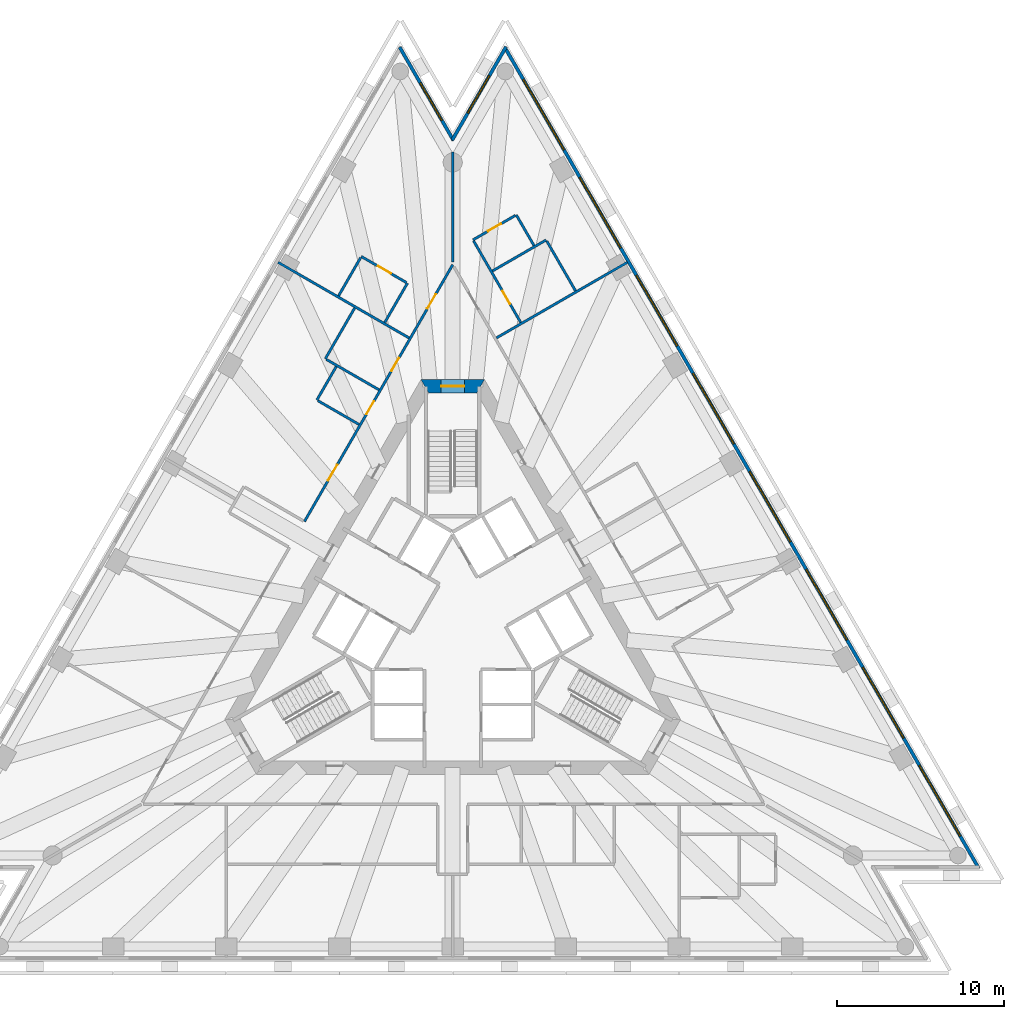
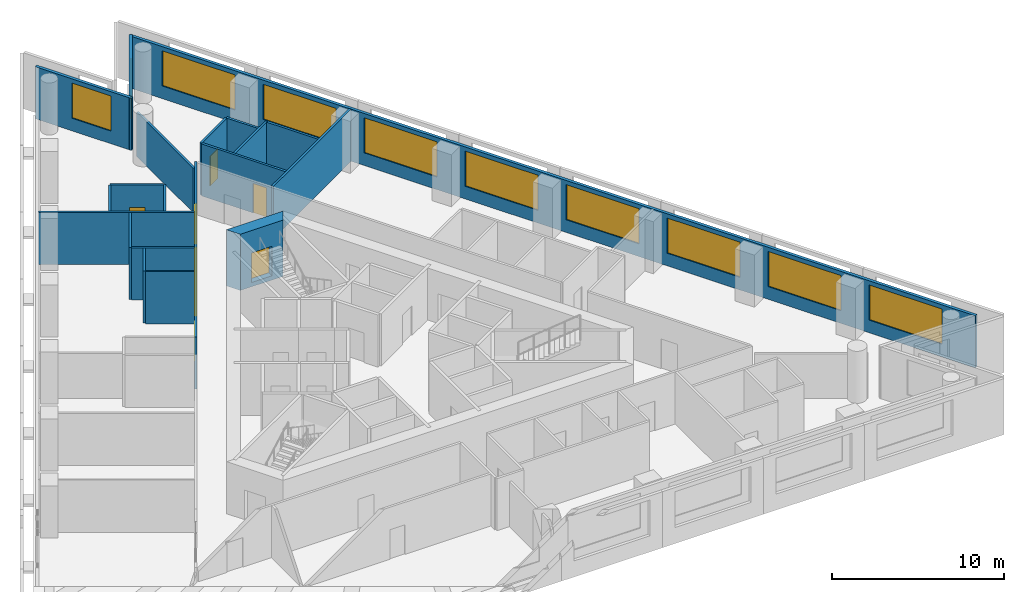
# One storey, part 6 of 9: 20 walls, 10 windows, 8 doors, 18 openings.
"""IFC4 building model written with IfcOpenShell, lengths in metres."""

from ifc_helpers import new_model, si_unit, direction, frame, frame_2d, origin, place, context, subcontext, project, spatial, polyline, rectangle, outline, extrude, material, layer, layer_set, layer_usage, type_object, element, fill, save


model = new_model("IFC4")

# Units and contexts
model_context = context("Model", 3, precision=1e-05, world=origin(), true_north=direction((0.0, 1.0)))
body_context = subcontext(model_context, "Body", "Model", "MODEL_VIEW")
ifc_project = project(units=[si_unit("LENGTHUNIT", "METRE"), si_unit("AREAUNIT", "SQUARE_METRE"), si_unit("VOLUMEUNIT", "CUBIC_METRE"), si_unit("PLANEANGLEUNIT", "RADIAN"), si_unit("MASSUNIT", "GRAM", prefix="KILO")], contexts=[model_context])

# Site, building, storey
site_placement = place(None, origin())
site = spatial("IfcSite", under=ifc_project, at=site_placement, CompositionType="ELEMENT")
building_placement = place(site_placement, origin())
building = spatial("IfcBuilding", under=site, at=building_placement, Name="Triada Interchange Tower", CompositionType="ELEMENT")
storey_placement = place(building_placement, frame((0.0, 0.0, 136.300048828125)))
storey = spatial("IfcBuildingStorey", under=building, at=storey_placement, Name="L31", CompositionType="ELEMENT", Elevation=136.300048828125)

# Wall, opening, door
ifc_material_1 = material(Name="Concrete C60/75", Category="concrete")
ifc_layer_1 = layer(ifc_material_1, 0.800048828125)
ifc_layer_set_1 = layer_set([ifc_layer_1], Name="Core wall B 800")
wall_type_1 = type_object("IfcWallType", Name="Core wall B 800", PredefinedType="SHEAR", material=ifc_layer_set_1)
wall_1_placement = place(storey_placement, frame((1.674072265625, 14.300048828125, -0.300048828125), z_axis=(0.0, 0.0, 1.0), x_axis=(-1.0, 0.0, 0.0)))
wall_1 = element("IfcWall", 1, at=wall_1_placement, inside=storey, type_object=wall_type_1, Name="Core wall WB01 L31", PredefinedType="SHEAR", context=body_context, shape_type="SweptSolid", body=[
    extrude(outline(polyline([(-0.23095703125, -0.39990234375), (1.674072265625, -0.39990234375), (3.5791015625, -0.39990234375), (3.116943359375, 0.39990234375), (1.673828125, 0.39990234375), (0.23095703125, 0.39990234375), (-0.23095703125, -0.39990234375)])), origin(), (0.0, 0.0, 1.0), 4.0),
])
opening_1_placement = place(wall_1_placement, frame((0.97412109375, 0.0, 0.300048828125)))
opening_1 = element("IfcOpeningElement", 2, at=opening_1_placement, cuts=wall_1, Name="Opening D29-38", PredefinedType="OPENING", context=body_context, shape_type="SweptSolid", body=[
    extrude(rectangle(XDim=1.39990234375, YDim=2.10009765625, at=frame_2d((0.699951171875, 1.050048828125))), frame((0.0, 0.409912109375, 0.0), z_axis=(0.0, -1.0, 0.0), x_axis=(1.0, 0.0, 0.0)), (0.0, 0.0, 1.0), 0.820068359375),
])
ifc_material_2 = material(Name="Steel S235 door leaf", Category="steel")
door_type_1 = type_object("IfcDoorType", Name="STAIR DOOR 1400 EI2 90-C5S200", OperationType="DOUBLE_DOOR_SINGLE_SWING", PredefinedType="DOOR", material=ifc_material_2)
door_1_placement = place(opening_1_placement, origin())
door_1 = element("IfcDoor", 3, at=door_1_placement, inside=storey, type_object=door_type_1, Name="Door D29-38 L31", OperationType="DOUBLE_DOOR_SINGLE_SWING", OverallHeight=2.10009765625, OverallWidth=1.39990234375, PredefinedType="DOOR", context=body_context, shape_type="SweptSolid", body=[
    extrude(rectangle(XDim=1.39990234375, YDim=2.10009765625, at=frame_2d((0.699951171875, 1.050048828125))), frame((0.0, 0.02490234375, 0.0), z_axis=(0.0, -1.0, 0.0), x_axis=(1.0, 0.0, 0.0)), (0.0, 0.0, 1.0), 0.050048828125),
])
fill(opening_1, door_1)

# Wall, openings, windows
ifc_material_3 = material(Name="Cement board")
ifc_layer_2 = layer(ifc_material_3, 0.02001953125, Name="Cement board cladding")
ifc_material_4 = material(Name="Sheathing board")
ifc_layer_3 = layer(ifc_material_4, 0.014892578125, Name="Sheathing board")
ifc_material_5 = material(Name="Mineral wool")
ifc_layer_4 = layer(ifc_material_5, 0.14990234375, Name="Mineral wool between steel studs")
ifc_material_6 = material(Name="Gypsum board")
ifc_layer_5 = layer(ifc_material_6, 0.014892578125, Name="Plasterboard lining")
ifc_layer_set_2 = layer_set([ifc_layer_2, ifc_layer_3, ifc_layer_4, ifc_layer_5], Name="External wall 200")
ifc_layer_usage = layer_usage(ifc_layer_set_2, "AXIS2", "POSITIVE", -0.10009765625)
wall_type_2 = type_object("IfcWallType", Name="External wall 200", PredefinedType="ELEMENTEDWALL", material=ifc_layer_set_2)
wall_2_placement = place(storey_placement, frame((31.587890625, -14.64697265625, 0.0), z_axis=(0.0, 0.0, 1.0), x_axis=(-0.500005036527, 0.866022495925, 0.0)))
wall_2 = element("IfcWall", 4, at=wall_2_placement, inside=storey, type_object=wall_type_2, material=ifc_layer_usage, Name="External wall L31 NE", PredefinedType="ELEMENTEDWALL", context=body_context, shape_type="SweptSolid", body=[
    extrude(rectangle(XDim=56.9375, YDim=0.199951171875, at=frame_2d((28.46875, 0.0))), origin(), (0.0, 0.0, 1.0), 3.699951171875),
])
opening_2_placement = place(wall_2_placement, frame((2.25, 0.0, 0.89990234375)))
opening_2 = element("IfcOpeningElement", 5, at=opening_2_placement, cuts=wall_2, Name="Opening WB21", PredefinedType="OPENING", context=body_context, shape_type="SweptSolid", body=[
    extrude(rectangle(XDim=4.89990234375, YDim=2.5, at=frame_2d((2.449951171875, 1.25))), frame((0.0, 0.10986328125, 0.0), z_axis=(0.0, -1.0, 0.0), x_axis=(1.0, 0.0, 0.0)), (0.0, 0.0, 1.0), 0.219970703125),
])
opening_3_placement = place(wall_2_placement, frame((9.0439453125, 0.0, 0.89990234375)))
opening_3 = element("IfcOpeningElement", 6, at=opening_3_placement, cuts=wall_2, Name="Opening WB22", PredefinedType="OPENING", context=body_context, shape_type="SweptSolid", body=[
    extrude(rectangle(XDim=4.89990234375, YDim=2.5, at=frame_2d((2.449951171875, 1.25))), frame((0.0, 0.10986328125, 0.0), z_axis=(0.0, -1.0, 0.0), x_axis=(1.0, 0.0, 0.0)), (0.0, 0.0, 1.0), 0.219970703125),
])
opening_4_placement = place(wall_2_placement, frame((15.837890625, 0.0, 0.89990234375)))
opening_4 = element("IfcOpeningElement", 7, at=opening_4_placement, cuts=wall_2, Name="Opening WB23", PredefinedType="OPENING", context=body_context, shape_type="SweptSolid", body=[
    extrude(rectangle(XDim=4.89990234375, YDim=2.5, at=frame_2d((2.449951171875, 1.25))), frame((0.0, 0.10986328125, 0.0), z_axis=(0.0, -1.0, 0.0), x_axis=(1.0, 0.0, 0.0)), (0.0, 0.0, 1.0), 0.219970703125),
])
opening_5_placement = place(wall_2_placement, frame((22.632080078125, 0.0, 0.89990234375)))
opening_5 = element("IfcOpeningElement", 8, at=opening_5_placement, cuts=wall_2, Name="Opening WB24", PredefinedType="OPENING", context=body_context, shape_type="SweptSolid", body=[
    extrude(rectangle(XDim=4.89990234375, YDim=2.5, at=frame_2d((2.449951171875, 1.25))), frame((0.0, 0.10986328125, 0.0), z_axis=(0.0, -1.0, 0.0), x_axis=(1.0, 0.0, 0.0)), (0.0, 0.0, 1.0), 0.219970703125),
])
opening_6_placement = place(wall_2_placement, frame((29.426025390625, 0.0, 0.89990234375)))
opening_6 = element("IfcOpeningElement", 9, at=opening_6_placement, cuts=wall_2, Name="Opening WB25", PredefinedType="OPENING", context=body_context, shape_type="SweptSolid", body=[
    extrude(rectangle(XDim=4.89990234375, YDim=2.5, at=frame_2d((2.449951171875, 1.25))), frame((0.0, 0.10986328125, 0.0), z_axis=(0.0, -1.0, 0.0), x_axis=(1.0, 0.0, 0.0)), (0.0, 0.0, 1.0), 0.219970703125),
])
opening_7_placement = place(wall_2_placement, frame((36.219970703125, 0.0, 0.89990234375)))
opening_7 = element("IfcOpeningElement", 10, at=opening_7_placement, cuts=wall_2, Name="Opening WB26", PredefinedType="OPENING", context=body_context, shape_type="SweptSolid", body=[
    extrude(rectangle(XDim=4.89990234375, YDim=2.5, at=frame_2d((2.449951171875, 1.25))), frame((0.0, 0.10986328125, 0.0), z_axis=(0.0, -1.0, 0.0), x_axis=(1.0, 0.0, 0.0)), (0.0, 0.0, 1.0), 0.219970703125),
])
opening_8_placement = place(wall_2_placement, frame((43.013916015625, 0.0, 0.89990234375)))
opening_8 = element("IfcOpeningElement", 11, at=opening_8_placement, cuts=wall_2, Name="Opening WB27", PredefinedType="OPENING", context=body_context, shape_type="SweptSolid", body=[
    extrude(rectangle(XDim=4.89990234375, YDim=2.5, at=frame_2d((2.449951171875, 1.25))), frame((0.0, 0.10986328125, 0.0), z_axis=(0.0, -1.0, 0.0), x_axis=(1.0, 0.0, 0.0)), (0.0, 0.0, 1.0), 0.219970703125),
])
opening_9_placement = place(wall_2_placement, frame((49.80810546875, 0.0, 0.89990234375)))
opening_9 = element("IfcOpeningElement", 12, at=opening_9_placement, cuts=wall_2, Name="Opening WB28", PredefinedType="OPENING", context=body_context, shape_type="SweptSolid", body=[
    extrude(rectangle(XDim=4.89990234375, YDim=2.5, at=frame_2d((2.449951171875, 1.25))), frame((0.0, 0.10986328125, 0.0), z_axis=(0.0, -1.0, 0.0), x_axis=(1.0, 0.0, 0.0)), (0.0, 0.0, 1.0), 0.219970703125),
])
ifc_material_7 = material(Name="Double glazed aluminium window", Category="aluminium")
window_type_1 = type_object("IfcWindowType", Name="Ribbon window B face", PartitioningType="SINGLE_PANEL", PredefinedType="WINDOW", material=ifc_material_7)
window_1_placement = place(opening_2_placement, origin())
window_1 = element("IfcWindow", 13, at=window_1_placement, inside=storey, type_object=window_type_1, Name="Window L31 NE 1", OverallHeight=2.5, OverallWidth=4.89990234375, PartitioningType="SINGLE_PANEL", PredefinedType="WINDOW", context=body_context, shape_type="SweptSolid", body=[
    extrude(rectangle(XDim=4.89990234375, YDim=2.5, at=frame_2d((2.449951171875, 1.25))), frame((0.0, 0.030029296875, 0.0), z_axis=(0.0, -1.0, 0.0), x_axis=(1.0, 0.0, 0.0)), (0.0, 0.0, 1.0), 0.06005859375),
])
fill(opening_2, window_1)
window_2_placement = place(opening_3_placement, origin())
window_2 = element("IfcWindow", 14, at=window_2_placement, inside=storey, type_object=window_type_1, Name="Window L31 NE 2", OverallHeight=2.5, OverallWidth=4.89990234375, PartitioningType="SINGLE_PANEL", PredefinedType="WINDOW", context=body_context, shape_type="SweptSolid", body=[
    extrude(rectangle(XDim=4.89990234375, YDim=2.5, at=frame_2d((2.449951171875, 1.25))), frame((0.0, 0.030029296875, 0.0), z_axis=(0.0, -1.0, 0.0), x_axis=(1.0, 0.0, 0.0)), (0.0, 0.0, 1.0), 0.06005859375),
])
fill(opening_3, window_2)
window_3_placement = place(opening_4_placement, origin())
window_3 = element("IfcWindow", 15, at=window_3_placement, inside=storey, type_object=window_type_1, Name="Window L31 NE 3", OverallHeight=2.5, OverallWidth=4.89990234375, PartitioningType="SINGLE_PANEL", PredefinedType="WINDOW", context=body_context, shape_type="SweptSolid", body=[
    extrude(rectangle(XDim=4.89990234375, YDim=2.5, at=frame_2d((2.449951171875, 1.25))), frame((0.0, 0.030029296875, 0.0), z_axis=(0.0, -1.0, 0.0), x_axis=(1.0, 0.0, 0.0)), (0.0, 0.0, 1.0), 0.06005859375),
])
fill(opening_4, window_3)
window_4_placement = place(opening_5_placement, origin())
window_4 = element("IfcWindow", 16, at=window_4_placement, inside=storey, type_object=window_type_1, Name="Window L31 NE 4", OverallHeight=2.5, OverallWidth=4.89990234375, PartitioningType="SINGLE_PANEL", PredefinedType="WINDOW", context=body_context, shape_type="SweptSolid", body=[
    extrude(rectangle(XDim=4.89990234375, YDim=2.5, at=frame_2d((2.449951171875, 1.25))), frame((0.0, 0.030029296875, 0.0), z_axis=(0.0, -1.0, 0.0), x_axis=(1.0, 0.0, 0.0)), (0.0, 0.0, 1.0), 0.06005859375),
])
fill(opening_5, window_4)
window_5_placement = place(opening_6_placement, origin())
window_5 = element("IfcWindow", 17, at=window_5_placement, inside=storey, type_object=window_type_1, Name="Window L31 NE 5", OverallHeight=2.5, OverallWidth=4.89990234375, PartitioningType="SINGLE_PANEL", PredefinedType="WINDOW", context=body_context, shape_type="SweptSolid", body=[
    extrude(rectangle(XDim=4.89990234375, YDim=2.5, at=frame_2d((2.449951171875, 1.25))), frame((0.0, 0.030029296875, 0.0), z_axis=(0.0, -1.0, 0.0), x_axis=(1.0, 0.0, 0.0)), (0.0, 0.0, 1.0), 0.06005859375),
])
fill(opening_6, window_5)
window_6_placement = place(opening_7_placement, origin())
window_6 = element("IfcWindow", 18, at=window_6_placement, inside=storey, type_object=window_type_1, Name="Window L31 NE 6", OverallHeight=2.5, OverallWidth=4.89990234375, PartitioningType="SINGLE_PANEL", PredefinedType="WINDOW", context=body_context, shape_type="SweptSolid", body=[
    extrude(rectangle(XDim=4.89990234375, YDim=2.5, at=frame_2d((2.449951171875, 1.25))), frame((0.0, 0.030029296875, 0.0), z_axis=(0.0, -1.0, 0.0), x_axis=(1.0, 0.0, 0.0)), (0.0, 0.0, 1.0), 0.06005859375),
])
fill(opening_7, window_6)
window_7_placement = place(opening_8_placement, origin())
window_7 = element("IfcWindow", 19, at=window_7_placement, inside=storey, type_object=window_type_1, Name="Window L31 NE 7", OverallHeight=2.5, OverallWidth=4.89990234375, PartitioningType="SINGLE_PANEL", PredefinedType="WINDOW", context=body_context, shape_type="SweptSolid", body=[
    extrude(rectangle(XDim=4.89990234375, YDim=2.5, at=frame_2d((2.449951171875, 1.25))), frame((0.0, 0.030029296875, 0.0), z_axis=(0.0, -1.0, 0.0), x_axis=(1.0, 0.0, 0.0)), (0.0, 0.0, 1.0), 0.06005859375),
])
fill(opening_8, window_7)
window_8_placement = place(opening_9_placement, origin())
window_8 = element("IfcWindow", 20, at=window_8_placement, inside=storey, type_object=window_type_1, Name="Window L31 NE 8", OverallHeight=2.5, OverallWidth=4.89990234375, PartitioningType="SINGLE_PANEL", PredefinedType="WINDOW", context=body_context, shape_type="SweptSolid", body=[
    extrude(rectangle(XDim=4.89990234375, YDim=2.5, at=frame_2d((2.449951171875, 1.25))), frame((0.0, 0.030029296875, 0.0), z_axis=(0.0, -1.0, 0.0), x_axis=(1.0, 0.0, 0.0)), (0.0, 0.0, 1.0), 0.06005859375),
])
fill(opening_9, window_8)

# Wall, opening, window
wall_3_placement = place(storey_placement, frame((3.198974609375, 34.678955078125, 0.0), z_axis=(0.0, 0.0, 1.0), x_axis=(-0.500012177251, -0.866018373131, 0.0)))
wall_3 = element("IfcWall", 21, at=wall_3_placement, inside=storey, type_object=wall_type_2, material=ifc_layer_usage, Name="External wall L31 N-1", PredefinedType="ELEMENTEDWALL", context=body_context, shape_type="SweptSolid", body=[
    extrude(rectangle(XDim=6.467529296875, YDim=0.199951171875, at=frame_2d((3.23388671875, 0.0))), origin(), (0.0, 0.0, 1.0), 3.699951171875),
])
opening_10_placement = place(wall_3_placement, frame((1.989990234375, 0.0, 0.89990234375)))
opening_10 = element("IfcOpeningElement", 22, at=opening_10_placement, cuts=wall_3, Name="Opening WB29", PredefinedType="OPENING", context=body_context, shape_type="SweptSolid", body=[
    extrude(rectangle(XDim=2.60009765625, YDim=2.5, at=frame_2d((1.300048828125, 1.25))), frame((0.0, 0.10986328125, 0.0), z_axis=(0.0, -1.0, 0.0), x_axis=(1.0, 0.0, 0.0)), (0.0, 0.0, 1.0), 0.219970703125),
])
window_type_2 = type_object("IfcWindowType", Name="Ribbon window B pocket", PartitioningType="SINGLE_PANEL", PredefinedType="WINDOW", material=ifc_material_7)
window_9_placement = place(opening_10_placement, origin())
window_9 = element("IfcWindow", 23, at=window_9_placement, inside=storey, type_object=window_type_2, Name="Window L31 N-1 1", OverallHeight=2.5, OverallWidth=2.60009765625, PartitioningType="SINGLE_PANEL", PredefinedType="WINDOW", context=body_context, shape_type="SweptSolid", body=[
    extrude(rectangle(XDim=2.60009765625, YDim=2.5, at=frame_2d((1.300048828125, 1.25))), frame((0.0, 0.030029296875, 0.0), z_axis=(0.0, -1.0, 0.0), x_axis=(1.0, 0.0, 0.0)), (0.0, 0.0, 1.0), 0.06005859375),
])
fill(opening_10, window_9)

wall_4_placement = place(storey_placement, frame((0.044921875, 29.06103515625, 0.0), z_axis=(0.0, 0.0, 1.0), x_axis=(-0.500012177251, 0.866018373131, 0.0)))
wall_4 = element("IfcWall", 24, at=wall_4_placement, inside=storey, type_object=wall_type_2, material=ifc_layer_usage, Name="External wall L31 N-2", PredefinedType="ELEMENTEDWALL", context=body_context, shape_type="SweptSolid", body=[
    extrude(rectangle(XDim=6.467529296875, YDim=0.199951171875, at=frame_2d((3.23388671875, 0.0))), origin(), (0.0, 0.0, 1.0), 3.699951171875),
])
opening_11_placement = place(wall_4_placement, frame((1.389892578125, 0.0, 0.89990234375)))
opening_11 = element("IfcOpeningElement", 25, at=opening_11_placement, cuts=wall_4, Name="Opening WB30", PredefinedType="OPENING", context=body_context, shape_type="SweptSolid", body=[
    extrude(rectangle(XDim=2.60009765625, YDim=2.5, at=frame_2d((1.300048828125, 1.25))), frame((0.0, 0.10986328125, 0.0), z_axis=(0.0, -1.0, 0.0), x_axis=(1.0, 0.0, 0.0)), (0.0, 0.0, 1.0), 0.219970703125),
])
window_10_placement = place(opening_11_placement, origin())
window_10 = element("IfcWindow", 26, at=window_10_placement, inside=storey, type_object=window_type_2, Name="Window L31 N-2 1", OverallHeight=2.5, OverallWidth=2.60009765625, PartitioningType="SINGLE_PANEL", PredefinedType="WINDOW", context=body_context, shape_type="SweptSolid", body=[
    extrude(rectangle(XDim=2.60009765625, YDim=2.5, at=frame_2d((1.300048828125, 1.25))), frame((0.0, 0.030029296875, 0.0), z_axis=(0.0, -1.0, 0.0), x_axis=(1.0, 0.0, 0.0)), (0.0, 0.0, 1.0), 0.06005859375),
])
fill(opening_11, window_10)

# Wall, openings, doors
ifc_material_8 = material(Name="Gypsum board partition")
ifc_layer_6 = layer(ifc_material_8, 0.14990234375)
ifc_layer_set_3 = layer_set([ifc_layer_6], Name="PARTITION 150 EI 180")
wall_type_3 = type_object("IfcWallType", Name="PARTITION 150 EI 180", PredefinedType="PARTITIONING", material=ifc_layer_set_3)
wall_5_placement = place(storey_placement, frame((-8.903076171875, 6.179931640625, 0.0), z_axis=(0.0, 0.0, 1.0), x_axis=(0.500010074151, 0.866019587393, 0.0)))
wall_5 = element("IfcWall", 27, at=wall_5_placement, inside=storey, type_object=wall_type_3, Name="Wall L29 7", PredefinedType="PARTITIONING", context=body_context, shape_type="SweptSolid", body=[
    extrude(rectangle(XDim=17.805908203125, YDim=0.14990234375, at=frame_2d((8.90283203125, 0.0))), origin(), (0.0, 0.0, 1.0), 3.699951171875),
])
opening_12_placement = place(wall_5_placement, frame((14.756103515625, 0.0, 0.0)))
opening_12 = element("IfcOpeningElement", 28, at=opening_12_placement, cuts=wall_5, Name="Opening D29-29", PredefinedType="OPENING", context=body_context, shape_type="SweptSolid", body=[
    extrude(rectangle(XDim=1.0, YDim=2.10009765625, at=frame_2d((0.5, 1.050048828125))), frame((0.0, 0.0849609375, 0.0), z_axis=(0.0, -1.0, 0.0), x_axis=(1.0, 0.0, 0.0)), (0.0, 0.0, 1.0), 0.169921875),
])
opening_13_placement = place(wall_5_placement, frame((2.837890625, 0.0, 0.0)))
opening_13 = element("IfcOpeningElement", 29, at=opening_13_placement, cuts=wall_5, Name="Opening D29-31", PredefinedType="OPENING", context=body_context, shape_type="SweptSolid", body=[
    extrude(rectangle(XDim=1.10009765625, YDim=2.10009765625, at=frame_2d((0.550048828125, 1.050048828125))), frame((0.0, 0.0849609375, 0.0), z_axis=(0.0, -1.0, 0.0), x_axis=(1.0, 0.0, 0.0)), (0.0, 0.0, 1.0), 0.169921875),
])
opening_14_placement = place(wall_5_placement, frame((10.43798828125, 0.0, 0.0)))
opening_14 = element("IfcOpeningElement", 30, at=opening_14_placement, cuts=wall_5, Name="Opening D29-32", PredefinedType="OPENING", context=body_context, shape_type="SweptSolid", body=[
    extrude(rectangle(XDim=0.89990234375, YDim=2.10009765625, at=frame_2d((0.449951171875, 1.050048828125))), frame((0.0, 0.0849609375, 0.0), z_axis=(0.0, -1.0, 0.0), x_axis=(1.0, 0.0, 0.0)), (0.0, 0.0, 1.0), 0.169921875),
])
opening_15_placement = place(wall_5_placement, frame((7.43798828125, 0.0, 0.0)))
opening_15 = element("IfcOpeningElement", 31, at=opening_15_placement, cuts=wall_5, Name="Opening D29-33", PredefinedType="OPENING", context=body_context, shape_type="SweptSolid", body=[
    extrude(rectangle(XDim=0.89990234375, YDim=2.10009765625, at=frame_2d((0.449951171875, 1.050048828125))), frame((0.0, 0.0849609375, 0.0), z_axis=(0.0, -1.0, 0.0), x_axis=(1.0, 0.0, 0.0)), (0.0, 0.0, 1.0), 0.169921875),
])
door_type_2 = type_object("IfcDoorType", Name="ROOM DOOR 1000 EI2 90-C5S200", OperationType="NOTDEFINED", PredefinedType="DOOR", material=ifc_material_2)
door_2_placement = place(opening_12_placement, origin())
door_2 = element("IfcDoor", 32, at=door_2_placement, inside=storey, type_object=door_type_2, Name="Door D29-29 L31", OperationType="SINGLE_SWING_RIGHT", OverallHeight=2.10009765625, OverallWidth=1.0, PredefinedType="DOOR", context=body_context, shape_type="SweptSolid", body=[
    extrude(rectangle(XDim=1.0, YDim=2.10009765625, at=frame_2d((0.5, 1.050048828125))), frame((0.0, 0.02490234375, 0.0), z_axis=(0.0, -1.0, 0.0), x_axis=(1.0, 0.0, 0.0)), (0.0, 0.0, 1.0), 0.050048828125),
])
fill(opening_12, door_2)
door_type_3 = type_object("IfcDoorType", Name="ROOM DOOR 900 EI2 90-C5S200", OperationType="NOTDEFINED", PredefinedType="DOOR", material=ifc_material_2)
door_3_placement = place(opening_14_placement, origin())
door_3 = element("IfcDoor", 33, at=door_3_placement, inside=storey, type_object=door_type_3, Name="Door D29-32 L31", OperationType="SINGLE_SWING_LEFT", OverallHeight=2.10009765625, OverallWidth=0.89990234375, PredefinedType="DOOR", context=body_context, shape_type="SweptSolid", body=[
    extrude(rectangle(XDim=0.89990234375, YDim=2.10009765625, at=frame_2d((0.449951171875, 1.050048828125))), frame((0.0, 0.02490234375, 0.0), z_axis=(0.0, -1.0, 0.0), x_axis=(1.0, 0.0, 0.0)), (0.0, 0.0, 1.0), 0.050048828125),
])
fill(opening_14, door_3)
door_4_placement = place(opening_15_placement, origin())
door_4 = element("IfcDoor", 34, at=door_4_placement, inside=storey, type_object=door_type_3, Name="Door D29-33 L31", OperationType="SINGLE_SWING_LEFT", OverallHeight=2.10009765625, OverallWidth=0.89990234375, PredefinedType="DOOR", context=body_context, shape_type="SweptSolid", body=[
    extrude(rectangle(XDim=0.89990234375, YDim=2.10009765625, at=frame_2d((0.449951171875, 1.050048828125))), frame((0.0, 0.02490234375, 0.0), z_axis=(0.0, -1.0, 0.0), x_axis=(1.0, 0.0, 0.0)), (0.0, 0.0, 1.0), 0.050048828125),
])
fill(opening_15, door_4)
door_type_4 = type_object("IfcDoorType", Name="TENANCY ENTRANCE DOOR 1100 EI2 90-C5S200", OperationType="NOTDEFINED", PredefinedType="DOOR", material=ifc_material_2)
door_5_placement = place(opening_13_placement, origin())
door_5 = element("IfcDoor", 35, at=door_5_placement, inside=storey, type_object=door_type_4, Name="Door D29-31 L31", OperationType="SINGLE_SWING_LEFT", OverallHeight=2.10009765625, OverallWidth=1.10009765625, PredefinedType="DOOR", context=body_context, shape_type="SweptSolid", body=[
    extrude(rectangle(XDim=1.10009765625, YDim=2.10009765625, at=frame_2d((0.550048828125, 1.050048828125))), frame((0.0, 0.02490234375, 0.0), z_axis=(0.0, -1.0, 0.0), x_axis=(1.0, 0.0, 0.0)), (0.0, 0.0, 1.0), 0.050048828125),
])
fill(opening_13, door_5)

# Walls
wall_6_placement = place(storey_placement, frame((-10.485107421875, 21.743896484375, 0.0), z_axis=(0.0, 0.0, 1.0), x_axis=(0.866014937375, -0.500018127915, 0.0)))
element("IfcWall", 36, at=wall_6_placement, inside=storey, type_object=wall_type_3, Name="Wall L29 16", PredefinedType="PARTITIONING", context=body_context, shape_type="SweptSolid", body=[
    extrude(rectangle(XDim=9.077392578125, YDim=0.14990234375, at=frame_2d((4.53857421875, 0.0))), origin(), (0.0, 0.0, 1.0), 3.699951171875),
])
wall_7_placement = place(storey_placement, frame((-7.64990234375, 15.949951171875, 0.0), z_axis=(0.0, 0.0, 1.0), x_axis=(0.500064136673, 0.865988371292, 0.0)))
element("IfcWall", 37, at=wall_7_placement, inside=storey, type_object=wall_type_3, Name="Wall L29 17", PredefinedType="PARTITIONING", context=body_context, shape_type="SweptSolid", body=[
    extrude(rectangle(XDim=3.525390625, YDim=0.14990234375, at=frame_2d((1.7626953125, 0.0))), origin(), (0.0, 0.0, 1.0), 3.699951171875),
])
wall_8_placement = place(storey_placement, frame((-7.5849609375, 15.9130859375, 0.0), z_axis=(0.0, 0.0, 1.0), x_axis=(0.865995104784, -0.500052475737, 0.0)))
element("IfcWall", 38, at=wall_8_placement, inside=storey, type_object=wall_type_3, Name="Wall L29 18", PredefinedType="PARTITIONING", context=body_context, shape_type="SweptSolid", body=[
    extrude(rectangle(XDim=3.64990234375, YDim=0.14990234375, at=frame_2d((1.824951171875, 0.0))), origin(), (0.0, 0.0, 1.0), 3.699951171875),
])
wall_9_placement = place(storey_placement, frame((-8.156982421875, 13.471923828125, 0.0), z_axis=(0.0, 0.0, 1.0), x_axis=(0.500249606323, 0.865881245537, 0.0)))
element("IfcWall", 39, at=wall_9_placement, inside=storey, type_object=wall_type_3, Name="Wall L29 19", PredefinedType="PARTITIONING", context=body_context, shape_type="SweptSolid", body=[
    extrude(rectangle(XDim=2.324951171875, YDim=0.14990234375, at=frame_2d((1.16259765625, 0.0))), origin(), (0.0, 0.0, 1.0), 3.699951171875),
])
wall_10_placement = place(storey_placement, frame((-8.092041015625, 13.43408203125, 0.0), z_axis=(0.0, 0.0, 1.0), x_axis=(0.866004402611, -0.500036373335, 0.0)))
element("IfcWall", 40, at=wall_10_placement, inside=storey, type_object=wall_type_3, Name="Wall L29 20", PredefinedType="PARTITIONING", context=body_context, shape_type="SweptSolid", body=[
    extrude(rectangle(XDim=2.849853515625, YDim=0.14990234375, at=frame_2d((1.4248046875, 0.0))), origin(), (0.0, 0.0, 1.0), 3.699951171875),
])
wall_11_placement = place(storey_placement, frame((0.0, 21.75, 0.0), z_axis=(0.0, 0.0, 1.0), x_axis=(0.0, 1.0, 0.0)))
element("IfcWall", 41, at=wall_11_placement, inside=storey, type_object=wall_type_3, Name="Wall L29 22", PredefinedType="PARTITIONING", context=body_context, shape_type="SweptSolid", body=[
    extrude(rectangle(XDim=6.60888671875, YDim=0.14990234375, at=frame_2d((3.304443359375, 0.0))), origin(), (0.0, 0.0, 1.0), 3.14990234375),
])
wall_12_placement = place(storey_placement, frame((2.6240234375, 17.205078125, 0.0), z_axis=(0.0, 0.0, 1.0), x_axis=(0.866014937375, 0.500018127915, 0.0)))
element("IfcWall", 42, at=wall_12_placement, inside=storey, type_object=wall_type_3, Name="Wall L29 27", PredefinedType="PARTITIONING", context=body_context, shape_type="SweptSolid", body=[
    extrude(rectangle(XDim=9.077392578125, YDim=0.14990234375, at=frame_2d((4.53857421875, 0.0))), origin(), (0.0, 0.0, 1.0), 3.699951171875),
])
ifc_layer_7 = layer(ifc_material_8, 0.14990234375)
ifc_layer_set_4 = layer_set([ifc_layer_7], Name="PARTITION 150 EI 90")
wall_type_4 = type_object("IfcWallType", Name="PARTITION 150 EI 90", PredefinedType="PARTITIONING", material=ifc_layer_set_4)
wall_13_placement = place(storey_placement, frame((-4.080078125, 18.133056640625, 0.0), z_axis=(0.0, 0.0, 1.0), x_axis=(0.499887924105, 0.866090101164, 0.0)))
element("IfcWall", 43, at=wall_13_placement, inside=storey, type_object=wall_type_4, Name="Wall L29 41", PredefinedType="PARTITIONING", context=body_context, shape_type="SweptSolid", body=[
    extrude(rectangle(XDim=2.724853515625, YDim=0.14990234375, at=frame_2d((1.3623046875, 0.0))), origin(), (0.0, 0.0, 1.0), 3.699951171875),
])

# Wall, opening, door
wall_14_placement = place(storey_placement, frame((-5.489013671875, 22.093017578125, 0.0), z_axis=(0.0, 0.0, 1.0), x_axis=(0.865935755868, -0.500155242608, 0.0)))
wall_14 = element("IfcWall", 44, at=wall_14_placement, inside=storey, type_object=wall_type_4, Name="Wall L29 42", PredefinedType="PARTITIONING", context=body_context, shape_type="SweptSolid", body=[
    extrude(rectangle(XDim=3.125, YDim=0.14990234375, at=frame_2d((1.5625, 0.0))), origin(), (0.0, 0.0, 1.0), 3.699951171875),
])
opening_16_placement = place(wall_14_placement, frame((1.14990234375, 0.0, 0.0)))
opening_16 = element("IfcOpeningElement", 45, at=opening_16_placement, cuts=wall_14, Name="Opening D29-30", PredefinedType="OPENING", context=body_context, shape_type="SweptSolid", body=[
    extrude(rectangle(XDim=0.89990234375, YDim=2.10009765625, at=frame_2d((0.449951171875, 1.050048828125))), frame((0.0, 0.0849609375, 0.0), z_axis=(0.0, -1.0, 0.0), x_axis=(1.0, 0.0, 0.0)), (0.0, 0.0, 1.0), 0.169921875),
])
door_type_5 = type_object("IfcDoorType", Name="ROOM DOOR 900 EI2 45-C5S200", OperationType="NOTDEFINED", PredefinedType="DOOR", material=ifc_material_2)
door_6_placement = place(opening_16_placement, origin())
door_6 = element("IfcDoor", 46, at=door_6_placement, inside=storey, type_object=door_type_5, Name="Door D29-30 L31", OperationType="SINGLE_SWING_LEFT", OverallHeight=2.10009765625, OverallWidth=0.89990234375, PredefinedType="DOOR", context=body_context, shape_type="SweptSolid", body=[
    extrude(rectangle(XDim=0.89990234375, YDim=2.10009765625, at=frame_2d((0.449951171875, 1.050048828125))), frame((0.0, 0.02490234375, 0.0), z_axis=(0.0, -1.0, 0.0), x_axis=(1.0, 0.0, 0.0)), (0.0, 0.0, 1.0), 0.050048828125),
])
fill(opening_16, door_6)

# Walls
wall_15_placement = place(storey_placement, frame((-6.85205078125, 19.73291015625, 0.0), z_axis=(0.0, 0.0, 1.0), x_axis=(0.499953715521, 0.866052124492, 0.0)))
element("IfcWall", 47, at=wall_15_placement, inside=storey, type_object=wall_type_4, Name="Wall L29 43", PredefinedType="PARTITIONING", context=body_context, shape_type="SweptSolid", body=[
    extrude(rectangle(XDim=2.650146484375, YDim=0.14990234375, at=frame_2d((1.3251953125, 0.0))), origin(), (0.0, 0.0, 1.0), 3.699951171875),
])
wall_16_placement = place(storey_placement, frame((2.383056640625, 21.222900390625, 0.0), z_axis=(0.0, 0.0, 1.0), x_axis=(0.865955274182, 0.500121448367, 0.0)))
element("IfcWall", 48, at=wall_16_placement, inside=storey, type_object=wall_type_4, Name="Wall L29 44", PredefinedType="PARTITIONING", context=body_context, shape_type="SweptSolid", body=[
    extrude(rectangle(XDim=3.72509765625, YDim=0.14990234375, at=frame_2d((1.862548828125, 0.0))), origin(), (0.0, 0.0, 1.0), 3.699951171875),
])
wall_17_placement = place(storey_placement, frame((5.64599609375, 23.02099609375, 0.0), z_axis=(0.0, 0.0, 1.0), x_axis=(0.49998991961, -0.866031223622, 0.0)))
element("IfcWall", 49, at=wall_17_placement, inside=storey, type_object=wall_type_4, Name="Wall L29 45", PredefinedType="PARTITIONING", context=body_context, shape_type="SweptSolid", body=[
    extrude(rectangle(XDim=3.4501953125, YDim=0.14990234375, at=frame_2d((1.72509765625, 0.0))), origin(), (0.0, 0.0, 1.0), 3.699951171875),
])
wall_18_placement = place(storey_placement, frame((3.81591796875, 24.591064453125, 0.0), z_axis=(0.0, 0.0, 1.0), x_axis=(0.499871667208, -0.86609948408, 0.0)))
element("IfcWall", 50, at=wall_18_placement, inside=storey, type_object=wall_type_4, Name="Wall L29 46", PredefinedType="PARTITIONING", context=body_context, shape_type="SweptSolid", body=[
    extrude(rectangle(XDim=2.12451171875, YDim=0.14990234375, at=frame_2d((1.062255859375, 0.0))), origin(), (0.0, 0.0, 1.0), 3.699951171875),
])

# Wall, opening, door
wall_19_placement = place(storey_placement, frame((1.218017578125, 23.091064453125, 0.0), z_axis=(0.0, 0.0, 1.0), x_axis=(0.866098016745, 0.499874209568, 0.0)))
wall_19 = element("IfcWall", 51, at=wall_19_placement, inside=storey, type_object=wall_type_4, Name="Wall L29 47", PredefinedType="PARTITIONING", context=body_context, shape_type="SweptSolid", body=[
    extrude(rectangle(XDim=2.924560546875, YDim=0.14990234375, at=frame_2d((1.46240234375, 0.0))), origin(), (0.0, 0.0, 1.0), 3.699951171875),
])
opening_17_placement = place(wall_19_placement, frame((1.050048828125, 0.0, 0.0)))
opening_17 = element("IfcOpeningElement", 52, at=opening_17_placement, cuts=wall_19, Name="Opening D29-28", PredefinedType="OPENING", context=body_context, shape_type="SweptSolid", body=[
    extrude(rectangle(XDim=0.89990234375, YDim=2.10009765625, at=frame_2d((0.449951171875, 1.050048828125))), frame((0.0, 0.0849609375, 0.0), z_axis=(0.0, -1.0, 0.0), x_axis=(1.0, 0.0, 0.0)), (0.0, 0.0, 1.0), 0.169921875),
])
door_type_6 = type_object("IfcDoorType", Name="SERVICE DOOR 900 EI2 45-C5S200", OperationType="NOTDEFINED", PredefinedType="DOOR", material=ifc_material_2)
door_7_placement = place(opening_17_placement, origin())
door_7 = element("IfcDoor", 53, at=door_7_placement, inside=storey, type_object=door_type_6, Name="Door D29-28 L31", OperationType="SINGLE_SWING_RIGHT", OverallHeight=2.10009765625, OverallWidth=0.89990234375, PredefinedType="DOOR", context=body_context, shape_type="SweptSolid", body=[
    extrude(rectangle(XDim=0.89990234375, YDim=2.10009765625, at=frame_2d((0.449951171875, 1.050048828125))), frame((0.0, 0.02490234375, 0.0), z_axis=(0.0, -1.0, 0.0), x_axis=(1.0, 0.0, 0.0)), (0.0, 0.0, 1.0), 0.050048828125),
])
fill(opening_17, door_7)

wall_20_placement = place(storey_placement, frame((1.2548828125, 23.02587890625, 0.0), z_axis=(0.0, 0.0, 1.0), x_axis=(0.500042884217, -0.866000643155, 0.0)))
wall_20 = element("IfcWall", 54, at=wall_20_placement, inside=storey, type_object=wall_type_4, Name="Wall L29 48", PredefinedType="PARTITIONING", context=body_context, shape_type="SweptSolid", body=[
    extrude(rectangle(XDim=5.64990234375, YDim=0.14990234375, at=frame_2d((2.824951171875, 0.0))), origin(), (0.0, 0.0, 1.0), 3.699951171875),
])
opening_18_placement = place(wall_20_placement, frame((3.47509765625, 0.0, 0.0)))
opening_18 = element("IfcOpeningElement", 55, at=opening_18_placement, cuts=wall_20, Name="Opening D29-27", PredefinedType="OPENING", context=body_context, shape_type="SweptSolid", body=[
    extrude(rectangle(XDim=0.89990234375, YDim=2.10009765625, at=frame_2d((0.449951171875, 1.050048828125))), frame((0.0, 0.0849609375, 0.0), z_axis=(0.0, -1.0, 0.0), x_axis=(1.0, 0.0, 0.0)), (0.0, 0.0, 1.0), 0.169921875),
])
door_8_placement = place(opening_18_placement, origin())
door_8 = element("IfcDoor", 56, at=door_8_placement, inside=storey, type_object=door_type_5, Name="Door D29-27 L31", OperationType="SINGLE_SWING_RIGHT", OverallHeight=2.10009765625, OverallWidth=0.89990234375, PredefinedType="DOOR", context=body_context, shape_type="SweptSolid", body=[
    extrude(rectangle(XDim=0.89990234375, YDim=2.10009765625, at=frame_2d((0.449951171875, 1.050048828125))), frame((0.0, 0.02490234375, 0.0), z_axis=(0.0, -1.0, 0.0), x_axis=(1.0, 0.0, 0.0)), (0.0, 0.0, 1.0), 0.050048828125),
])
fill(opening_18, door_8)

save(model, "model.ifc")
